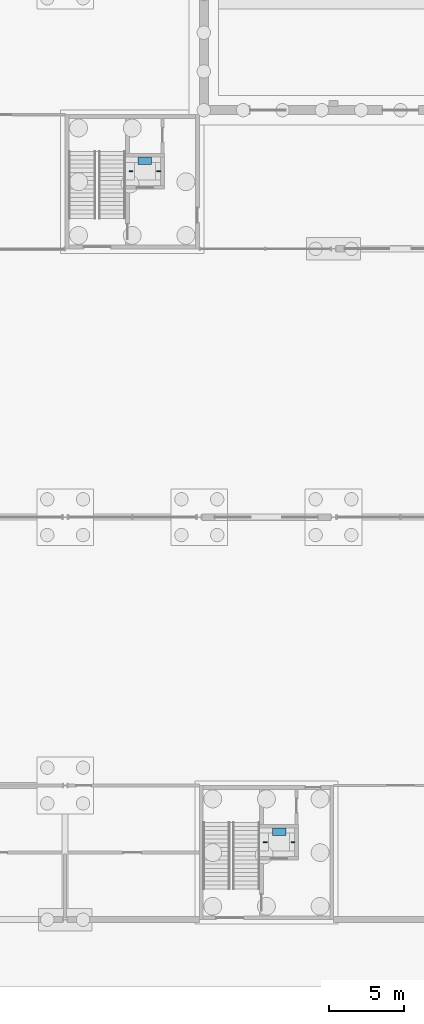
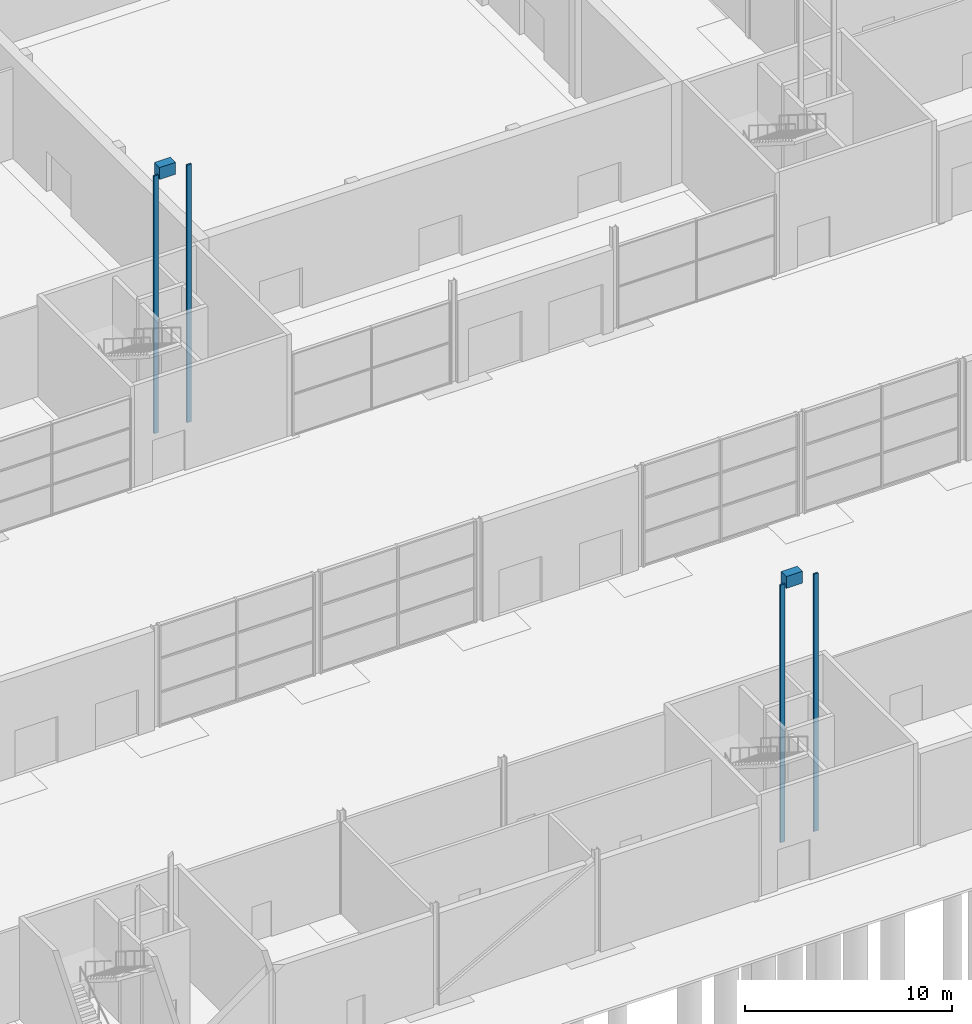
# One storey, part 87 of 97: 6 discrete accessories.
"""IFC4 building model written with IfcOpenShell, lengths in metres."""

from ifc_helpers import new_model, si_unit, direction, frame, origin, origin_2d, place, context, subcontext, project, spatial, rectangle, extrude, material, type_object, element, save


model = new_model("IFC4")

# Units and contexts
model_context = context("Model", 3, precision=1e-05, world=origin(), true_north=direction((0.0, 1.0)))
body_context = subcontext(model_context, "Body", "Model", "MODEL_VIEW")
ifc_project = project(units=[si_unit("LENGTHUNIT", "METRE"), si_unit("AREAUNIT", "SQUARE_METRE"), si_unit("VOLUMEUNIT", "CUBIC_METRE"), si_unit("PLANEANGLEUNIT", "RADIAN"), si_unit("MASSUNIT", "GRAM", prefix="KILO")], contexts=[model_context])

# Site, building, storey
site_placement = place(None, origin())
site = spatial("IfcSite", under=ifc_project, at=site_placement, CompositionType="ELEMENT")
building_placement = place(site_placement, origin())
building = spatial("IfcBuilding", under=site, at=building_placement, Name="Corbel Yard City Hall", CompositionType="ELEMENT")
storey_placement = place(building_placement, origin())
storey = spatial("IfcBuildingStorey", under=building, at=storey_placement, Name="L00", CompositionType="ELEMENT", Elevation=0.0)

# Discrete accessories
ifc_material = material(Name="Steel Grade G250", Category="steel")
discrete_accessory_type_1 = type_object("IfcDiscreteAccessoryType", Name="LM1", PredefinedType="USERDEFINED", material=ifc_material)
for number, where, z_axis, x_axis, name in (
    (1, (122.35009765625, 5.89990234375, 13.10009765625), (0.0, 0.0, 1.0), (1.0, 0.0, 0.0), "Lift LP4 drive machine"),
    (2, (113.35009765625, 50.89990234375, 13.10009765625), (0.0, 0.0, 1.0), (1.0, 0.0, 0.0), "Lift LP10 drive machine"),
):
    element("IfcDiscreteAccessory", number, at=place(storey_placement, frame(where, z_axis=z_axis, x_axis=x_axis)), inside=storey, type_object=discrete_accessory_type_1, Name=name, ObjectType="LIFT MACHINE", PredefinedType="USERDEFINED", context=body_context, shape_type="SweptSolid", body=[
        extrude(rectangle(XDim=0.89990234375, YDim=0.5, at=origin_2d()), origin(), (0.0, 0.0, 1.0), 0.699951171875),
    ])
discrete_accessory_type_2 = type_object("IfcDiscreteAccessoryType", Name="LR1", PredefinedType="USERDEFINED", material=ifc_material)
for number, where, z_axis, x_axis, name in (
    (3, (121.425048828125, 5.199951171875, -1.39990234375), (0.0, 0.0, 1.0), (1.0, 0.0, 0.0), "Lift LP4 guide rail 1"),
    (4, (123.27490234375, 5.199951171875, -1.39990234375), (0.0, 0.0, 1.0), (1.0, 0.0, 0.0), "Lift LP4 guide rail 2"),
    (5, (112.425048828125, 50.199951171875, -1.39990234375), (0.0, 0.0, 1.0), (1.0, 0.0, 0.0), "Lift LP10 guide rail 1"),
    (6, (114.27490234375, 50.199951171875, -1.39990234375), (0.0, 0.0, 1.0), (1.0, 0.0, 0.0), "Lift LP10 guide rail 2"),
):
    element("IfcDiscreteAccessory", number, at=place(storey_placement, frame(where, z_axis=z_axis, x_axis=x_axis)), inside=storey, type_object=discrete_accessory_type_2, Name=name, ObjectType="GUIDE RAIL", PredefinedType="USERDEFINED", context=body_context, shape_type="SweptSolid", body=[
        extrude(rectangle(XDim=0.25, YDim=0.090087890625, at=origin_2d()), origin(), (0.0, 0.0, 1.0), 15.199951171875),
    ])

save(model, "model.ifc")
